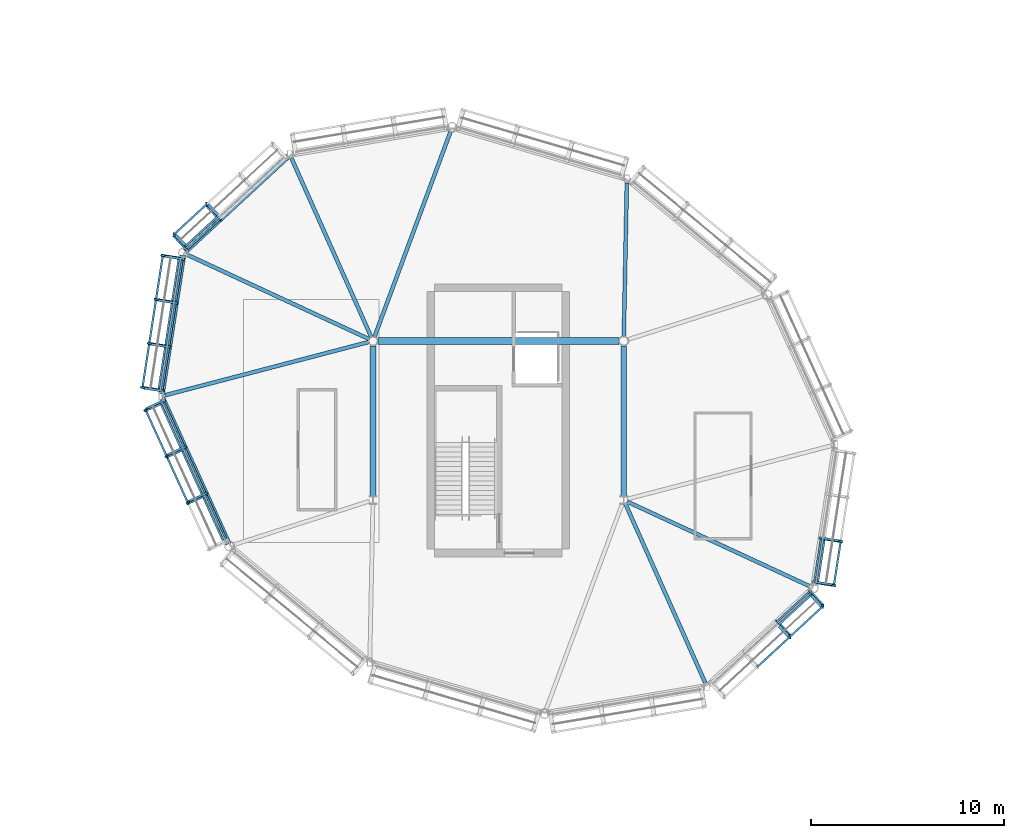
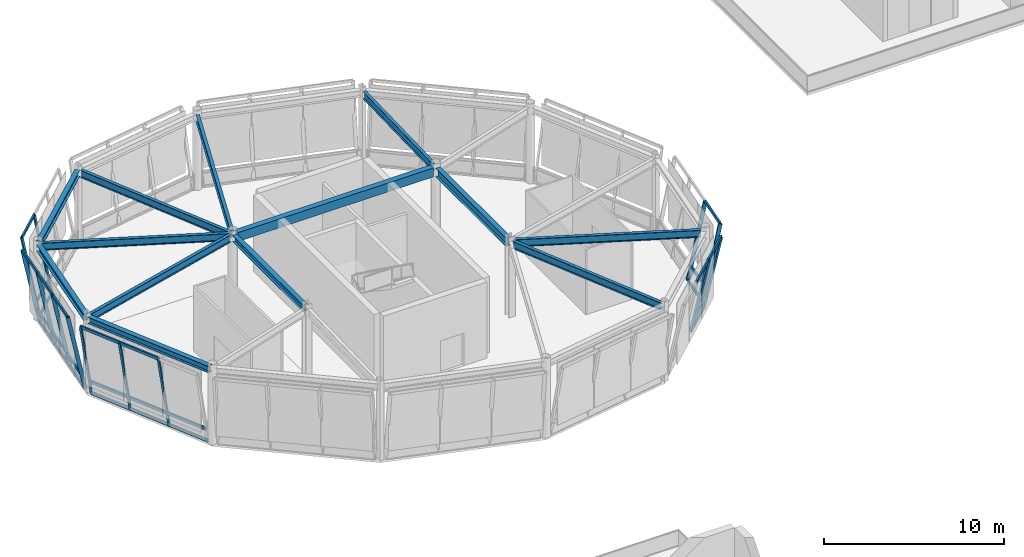
# One storey, part 44 of 90: 40 members, 13 beams, 5 elements without a shape of their own.
"""IFC4 building model written with IfcOpenShell, lengths in metres."""

from ifc_helpers import new_model, si_unit, direction, frame, origin, origin_2d, place, context, subcontext, project, spatial, rectangle, hollow_rectangle, i_section, extrude, material, material_profile, profile_set, type_object, element, aggregate, save


model = new_model("IFC4")

# Units and contexts
model_context = context("Model", 3, precision=1e-05, world=origin(), true_north=direction((0.0, 1.0)))
body_context = subcontext(model_context, "Body", "Model", "MODEL_VIEW")
ifc_project = project(units=[si_unit("LENGTHUNIT", "METRE"), si_unit("AREAUNIT", "SQUARE_METRE"), si_unit("VOLUMEUNIT", "CUBIC_METRE"), si_unit("PLANEANGLEUNIT", "RADIAN"), si_unit("MASSUNIT", "GRAM", prefix="KILO")], contexts=[model_context])

# Site, building, storey
site_placement = place(None, origin())
site = spatial("IfcSite", under=ifc_project, at=site_placement, CompositionType="ELEMENT")
building_placement = place(site_placement, origin())
building = spatial("IfcBuilding", under=site, at=building_placement, Name="Linyun Crest Stadium", CompositionType="ELEMENT")
storey_placement = place(building_placement, frame((0.0, 0.0, 21.0)))
storey = spatial("IfcBuildingStorey", under=building, at=storey_placement, Name="L05", CompositionType="ELEMENT", Elevation=21.0)

# Beams
ifc_material_1 = material(Name="Concrete C40", Category="concrete")
ifc_material_profile_1 = material_profile(ifc_material_1, rectangle(XDim=0.35009765625, YDim=0.60009765625, at=origin_2d()), Name="RCB 600x350")
ifc_profile_set_1 = profile_set([ifc_material_profile_1], Name="Concrete C40")
beam_type_1 = type_object("IfcBeamType", Name="B01", PredefinedType="BEAM", material=ifc_profile_set_1)
beam_1_placement = place(storey_placement, frame((-79.74609375, 88.75, 4.85009765625), z_axis=(1.0, 0.0, 0.0), x_axis=(0.0, 1.0, 0.0)))
element("IfcBeam", 1, at=beam_1_placement, inside=storey, type_object=beam_type_1, Name="Frame beam B01 L05 977", PredefinedType="BEAM", context=body_context, shape_type="SweptSolid", body=[
    extrude(rectangle(XDim=0.35009765625, YDim=0.60009765625, at=origin_2d()), origin(), (0.0, 0.0, 1.0), 12.4921875),
])
ifc_material_2 = material(Name="Steel Q355C", Category="steel")
ifc_material_profile_2 = material_profile(ifc_material_2, i_section(OverallWidth=0.300048828125, OverallDepth=0.43994140625, WebThickness=0.010986328125, FlangeThickness=0.01806640625, at=origin_2d()), Name="HM 440x300")
ifc_profile_set_2 = profile_set([ifc_material_profile_2], Name="Steel Q355C")
beam_type_2 = type_object("IfcBeamType", Name="B07", PredefinedType="BEAM", material=ifc_profile_set_2)
beam_2_placement = place(storey_placement, frame((-84.40087890625, 98.3349609375, 4.929931640625), z_axis=(-0.734193861678, -0.678939889441, 0.0), x_axis=(0.678939889441, -0.734193861678, 0.0)))
element("IfcBeam", 2, at=beam_2_placement, inside=storey, type_object=beam_type_2, Name="Pod ring girder B07 L05 59", PredefinedType="BEAM", context=body_context, shape_type="SweptSolid", body=[
    extrude(i_section(OverallWidth=0.300048828125, OverallDepth=0.43994140625, WebThickness=0.010986328125, FlangeThickness=0.01806640625, at=origin_2d()), origin(), (0.0, 0.0, 1.0), 7.28173828125),
])
beam_3_placement = place(storey_placement, frame((-89.85302734375, 93.19091796875, 4.929931640625), z_axis=(-0.152213453027, -0.988347643655, 0.0), x_axis=(0.988347643655, -0.152213453027, 0.0)))
element("IfcBeam", 3, at=beam_3_placement, inside=storey, type_object=beam_type_2, Name="Pod ring girder B07 L05 61", PredefinedType="BEAM", context=body_context, shape_type="SweptSolid", body=[
    extrude(i_section(OverallWidth=0.300048828125, OverallDepth=0.43994140625, WebThickness=0.010986328125, FlangeThickness=0.01806640625, at=origin_2d()), origin(), (0.0, 0.0, 1.0), 7.278564453125),
])
beam_4_placement = place(storey_placement, frame((-90.928955078125, 85.76904296875, 4.929931640625), z_axis=(0.41441702614, -0.910087099373, 0.0), x_axis=(0.910087099373, 0.41441702614, 0.0)))
element("IfcBeam", 4, at=beam_4_placement, inside=storey, type_object=beam_type_2, Name="Pod ring girder B07 L05 63", PredefinedType="BEAM", context=body_context, shape_type="SweptSolid", body=[
    extrude(i_section(OverallWidth=0.300048828125, OverallDepth=0.43994140625, WebThickness=0.010986328125, FlangeThickness=0.01806640625, at=origin_2d()), origin(), (0.0, 0.0, 1.0), 8.2958984375),
])
beam_5_placement = place(storey_placement, frame((-80.0, 80.714111328125, 4.929931640625), z_axis=(0.0, 1.0, 0.0), x_axis=(-1.0, 0.0, 0.0)))
element("IfcBeam", 5, at=beam_5_placement, inside=storey, type_object=beam_type_2, Name="Frame beam B07 L05 979", PredefinedType="BEAM", context=body_context, shape_type="SweptSolid", body=[
    extrude(i_section(OverallWidth=0.300048828125, OverallDepth=0.43994140625, WebThickness=0.010986328125, FlangeThickness=0.01806640625, at=origin_2d()), origin(), (0.0, 0.0, 1.0), 7.781982421875),
])
ifc_material_3 = material(Name="Steel Q355C", Category="steel")
ifc_material_profile_3 = material_profile(ifc_material_3, i_section(OverallWidth=0.300048828125, OverallDepth=0.587890625, WebThickness=0.011962890625, FlangeThickness=0.02001953125, at=origin_2d()), Name="HM 588x300")
ifc_profile_set_3 = profile_set([ifc_material_profile_3], Name="Steel Q355C")
beam_type_3 = type_object("IfcBeamType", Name="B09", PredefinedType="BEAM", material=ifc_profile_set_3)
beam_6_placement = place(storey_placement, frame((-67.0, 80.714111328125, 4.85595703125), z_axis=(0.0, 1.0, 0.0), x_axis=(-1.0, 0.0, 0.0)))
element("IfcBeam", 6, at=beam_6_placement, inside=storey, type_object=beam_type_3, Name="Frame beam B09 L05 980", PredefinedType="BEAM", context=body_context, shape_type="SweptSolid", body=[
    extrude(i_section(OverallWidth=0.300048828125, OverallDepth=0.587890625, WebThickness=0.011962890625, FlangeThickness=0.02001953125, at=origin_2d()), origin(), (0.0, 0.0, 1.0), 7.781982421875),
])
ifc_material_4 = material(Name="Steel Q355C", Category="steel")
ifc_material_profile_4 = material_profile(ifc_material_4, i_section(OverallWidth=0.199951171875, OverallDepth=0.5, WebThickness=0.010009765625, FlangeThickness=0.01611328125, at=origin_2d()), Name="HN 500x200")
ifc_profile_set_4 = profile_set([ifc_material_profile_4], Name="Steel Q355C")
beam_type_4 = type_object("IfcBeamType", Name="B10", PredefinedType="BEAM", material=ifc_profile_set_4)
beam_7_placement = place(storey_placement, frame((-66.819091796875, 80.416015625, 4.89990234375), z_axis=(0.907241490816, -0.420610125106, 0.0), x_axis=(0.420610125106, 0.907241490816, 0.0)))
element("IfcBeam", 7, at=beam_7_placement, inside=storey, type_object=beam_type_4, Name="Pod radial tie girder B10 L05 50", PredefinedType="BEAM", context=body_context, shape_type="SweptSolid", body=[
    extrude(i_section(OverallWidth=0.199951171875, OverallDepth=0.5, WebThickness=0.010009765625, FlangeThickness=0.01611328125, at=origin_2d()), origin(), (0.0, 0.0, 1.0), 10.420654296875),
])
beam_8_placement = place(storey_placement, frame((-66.99609375, 88.949951171875, 4.89990234375), z_axis=(0.01978842746, 0.999804189899, 0.0), x_axis=(-0.999804189899, 0.01978842746, 0.0)))
element("IfcBeam", 8, at=beam_8_placement, inside=storey, type_object=beam_type_4, Name="Pod radial tie girder B10 L05 56", PredefinedType="BEAM", context=body_context, shape_type="SweptSolid", body=[
    extrude(i_section(OverallWidth=0.199951171875, OverallDepth=0.5, WebThickness=0.010009765625, FlangeThickness=0.01611328125, at=origin_2d()), origin(), (0.0, 0.0, 1.0), 7.99462890625),
])
beam_9_placement = place(storey_placement, frame((-79.929931640625, 88.93798828125, 4.89990234375), z_axis=(0.347593524127, 0.937645317796, 0.0), x_axis=(-0.937645317796, 0.347593524127, 0.0)))
element("IfcBeam", 9, at=beam_9_placement, inside=storey, type_object=beam_type_4, Name="Pod radial tie girder B10 L05 58", PredefinedType="BEAM", context=body_context, shape_type="SweptSolid", body=[
    extrude(i_section(OverallWidth=0.199951171875, OverallDepth=0.5, WebThickness=0.010009765625, FlangeThickness=0.01611328125, at=origin_2d()), origin(), (0.0, 0.0, 1.0), 11.392578125),
])
beam_10_placement = place(storey_placement, frame((-80.0810546875, 88.93310546875, 4.89990234375), z_axis=(-0.407495258441, 0.913207322763, 0.0), x_axis=(-0.913207322763, -0.407495258441, 0.0)))
element("IfcBeam", 10, at=beam_10_placement, inside=storey, type_object=beam_type_4, Name="Pod radial tie girder B10 L05 60", PredefinedType="BEAM", context=body_context, shape_type="SweptSolid", body=[
    extrude(i_section(OverallWidth=0.199951171875, OverallDepth=0.5, WebThickness=0.010009765625, FlangeThickness=0.01611328125, at=origin_2d()), origin(), (0.0, 0.0, 1.0), 10.1640625),
])
beam_11_placement = place(storey_placement, frame((-80.180908203125, 88.833984375, 4.89990234375), z_axis=(-0.907241490816, 0.420610125106, 0.0), x_axis=(-0.420610125106, -0.907241490816, 0.0)))
element("IfcBeam", 11, at=beam_11_placement, inside=storey, type_object=beam_type_4, Name="Pod radial tie girder B10 L05 62", PredefinedType="BEAM", context=body_context, shape_type="SweptSolid", body=[
    extrude(i_section(OverallWidth=0.199951171875, OverallDepth=0.5, WebThickness=0.010009765625, FlangeThickness=0.01611328125, at=origin_2d()), origin(), (0.0, 0.0, 1.0), 10.420654296875),
])
beam_12_placement = place(storey_placement, frame((-80.193115234375, 88.698974609375, 4.89990234375), z_axis=(-0.967466930693, -0.252997505948, 0.0), x_axis=(0.252997505948, -0.967466930693, 0.0)))
element("IfcBeam", 12, at=beam_12_placement, inside=storey, type_object=beam_type_4, Name="Pod radial tie girder B10 L05 64", PredefinedType="BEAM", context=body_context, shape_type="SweptSolid", body=[
    extrude(i_section(OverallWidth=0.199951171875, OverallDepth=0.5, WebThickness=0.010009765625, FlangeThickness=0.01611328125, at=origin_2d()), origin(), (0.0, 0.0, 1.0), 10.928466796875),
])
beam_13_placement = place(storey_placement, frame((-66.9189453125, 80.31689453125, 4.89990234375), z_axis=(0.407495258441, -0.913207322763, 0.0), x_axis=(0.913207322763, 0.407495258441, 0.0)))
element("IfcBeam", 13, at=beam_13_placement, inside=storey, type_object=beam_type_4, Name="Pod radial tie girder B10 L05 72", PredefinedType="BEAM", context=body_context, shape_type="SweptSolid", body=[
    extrude(i_section(OverallWidth=0.199951171875, OverallDepth=0.5, WebThickness=0.010009765625, FlangeThickness=0.01611328125, at=origin_2d()), origin(), (0.0, 0.0, 1.0), 10.1640625),
])

# Curtain wall, members
ifc_material_5 = material(Name="Verdigris steel and low-E curtain wall assembly", Category="steel")
curtain_wall_type = type_object("IfcCurtainWallType", Name="MCW04", PredefinedType="NOTDEFINED", material=ifc_material_5)
curtain_wall_1_placement = place(storey_placement, origin())
curtain_wall_1 = element("IfcCurtainWall", 14, at=curtain_wall_1_placement, inside=storey, type_object=curtain_wall_type, Name="CWR-013", PredefinedType="NOTDEFINED")
ifc_material_6 = material(Name="Verdigris painted steel Q355C pod mullion", Category="steel")
ifc_material_profile_5 = material_profile(ifc_material_6, hollow_rectangle(XDim=0.1201171875, YDim=0.219970703125, WallThickness=0.008056640625, at=origin_2d()), Name="RHS 220x120x8")
ifc_profile_set_5 = profile_set([ifc_material_profile_5], Name="Verdigris painted steel Q355C pod mullion")
member_type_1 = type_object("IfcMemberType", Name="ML04", PredefinedType="MULLION", material=ifc_profile_set_5)
member_1_placement = place(storey_placement, frame((-57.118896484375, 76.237060546875, 0.0), z_axis=(0.196925558343, -0.030401712849, 0.97994696812), x_axis=(-0.298126026527, -0.954045105123, 0.030311873873)))
member_1 = element("IfcMember", 15, at=member_1_placement, type_object=member_type_1, Name="CWR-013 mullion 1", PredefinedType="MULLION", context=body_context, shape_type="SweptSolid", body=[
    extrude(hollow_rectangle(XDim=0.1201171875, YDim=0.219970703125, WallThickness=0.008056640625, at=origin_2d()), origin(), (0.0, 0.0, 1.0), 5.16357421875),
])
member_2_placement = place(storey_placement, frame((-56.76806640625, 78.51611328125, 0.0), z_axis=(0.196972134201, -0.030212480498, 0.979943459782), x_axis=(-0.297195980981, -0.95433515081, 0.030314498475)))
member_2 = element("IfcMember", 16, at=member_2_placement, type_object=member_type_1, Name="CWR-013 mullion 2", PredefinedType="MULLION", context=body_context, shape_type="SweptSolid", body=[
    extrude(hollow_rectangle(XDim=0.1201171875, YDim=0.219970703125, WallThickness=0.008056640625, at=origin_2d()), origin(), (0.0, 0.0, 1.0), 5.16357421875),
])

curtain_wall_2_placement = place(storey_placement, origin())
curtain_wall_2 = element("IfcCurtainWall", 17, at=curtain_wall_2_placement, inside=storey, type_object=curtain_wall_type, Name="CWR-018", PredefinedType="NOTDEFINED")
member_3_placement = place(storey_placement, frame((-87.9208984375, 95.080078125, 0.0), z_axis=(-0.135408824728, 0.146377696005, 0.97991735381), x_axis=(-0.986931474676, 0.067271316009, -0.146426890757)))
member_3 = element("IfcMember", 18, at=member_3_placement, type_object=member_type_1, Name="CWR-018 mullion 3", PredefinedType="MULLION", context=body_context, shape_type="SweptSolid", body=[
    extrude(hollow_rectangle(XDim=0.1201171875, YDim=0.219970703125, WallThickness=0.008056640625, at=origin_2d()), origin(), (0.0, 0.0, 1.0), 5.163818359375),
])
member_4_placement = place(storey_placement, frame((-89.614990234375, 93.513916015625, 0.0), z_axis=(-0.135361474609, 0.146424899359, 0.979916843431), x_axis=(-0.986908625049, 0.067601716687, -0.146428732514)))
member_4 = element("IfcMember", 19, at=member_4_placement, type_object=member_type_1, Name="CWR-018 mullion 4", PredefinedType="MULLION", context=body_context, shape_type="SweptSolid", body=[
    extrude(hollow_rectangle(XDim=0.1201171875, YDim=0.219970703125, WallThickness=0.008056640625, at=origin_2d()), origin(), (0.0, 0.0, 1.0), 5.163818359375),
])

curtain_wall_3_placement = place(storey_placement, origin())
curtain_wall_3 = element("IfcCurtainWall", 20, at=curtain_wall_3_placement, inside=storey, type_object=curtain_wall_type, Name="CWR-019", PredefinedType="NOTDEFINED")
member_5_placement = place(storey_placement, frame((-89.881103515625, 93.012939453125, 0.0), z_axis=(-0.196925558343, 0.030401712849, 0.97994696812), x_axis=(-0.298126026527, -0.954045105123, -0.030311873873)))
member_5 = element("IfcMember", 21, at=member_5_placement, type_object=member_type_1, Name="CWR-019 mullion 1", PredefinedType="MULLION", context=body_context, shape_type="SweptSolid", body=[
    extrude(hollow_rectangle(XDim=0.1201171875, YDim=0.219970703125, WallThickness=0.008056640625, at=origin_2d()), origin(), (0.0, 0.0, 1.0), 5.16357421875),
])
member_6_placement = place(storey_placement, frame((-90.23193359375, 90.73388671875, 0.0), z_axis=(-0.196972134201, 0.030212480498, 0.979943459782), x_axis=(-0.297195980981, -0.95433515081, -0.030314498475)))
member_6 = element("IfcMember", 22, at=member_6_placement, type_object=member_type_1, Name="CWR-019 mullion 2", PredefinedType="MULLION", context=body_context, shape_type="SweptSolid", body=[
    extrude(hollow_rectangle(XDim=0.1201171875, YDim=0.219970703125, WallThickness=0.008056640625, at=origin_2d()), origin(), (0.0, 0.0, 1.0), 5.16357421875),
])
member_7_placement = place(storey_placement, frame((-90.58203125, 88.4541015625, 0.0), z_axis=(-0.197152779984, 0.03040029677, 0.979901323247), x_axis=(-0.297946662121, -0.954100050656, -0.030346002532)))
member_7 = element("IfcMember", 23, at=member_7_placement, type_object=member_type_1, Name="CWR-019 mullion 3", PredefinedType="MULLION", context=body_context, shape_type="SweptSolid", body=[
    extrude(hollow_rectangle(XDim=0.1201171875, YDim=0.219970703125, WallThickness=0.008056640625, at=origin_2d()), origin(), (0.0, 0.0, 1.0), 5.163818359375),
])
member_8_placement = place(storey_placement, frame((-90.93310546875, 86.175048828125, 0.0), z_axis=(-0.196925558343, 0.030401712849, 0.97994696812), x_axis=(-0.298126026527, -0.954045105123, -0.030311873873)))
member_8 = element("IfcMember", 24, at=member_8_placement, type_object=member_type_1, Name="CWR-019 mullion 4", PredefinedType="MULLION", context=body_context, shape_type="SweptSolid", body=[
    extrude(hollow_rectangle(XDim=0.1201171875, YDim=0.219970703125, WallThickness=0.008056640625, at=origin_2d()), origin(), (0.0, 0.0, 1.0), 5.16357421875),
])

curtain_wall_4_placement = place(storey_placement, origin())
curtain_wall_4 = element("IfcCurtainWall", 25, at=curtain_wall_4_placement, inside=storey, type_object=curtain_wall_type, Name="CWR-020", PredefinedType="NOTDEFINED")
member_9_placement = place(storey_placement, frame((-90.85498046875, 85.60498046875, 0.0), z_axis=(-0.181458861331, -0.08269190945, 0.979915674819), x_axis=(0.747008040281, -0.659655798184, 0.082663266794)))
member_9 = element("IfcMember", 26, at=member_9_placement, type_object=member_type_1, Name="CWR-020 mullion 1", PredefinedType="MULLION", context=body_context, shape_type="SweptSolid", body=[
    extrude(hollow_rectangle(XDim=0.1201171875, YDim=0.219970703125, WallThickness=0.008056640625, at=origin_2d()), origin(), (0.0, 0.0, 1.0), 5.163818359375),
])
member_10_placement = place(storey_placement, frame((-89.758056640625, 83.197998046875, 0.0), z_axis=(-0.181458861331, -0.08269190945, 0.979915674819), x_axis=(0.747008040281, -0.659655798184, 0.082663266794)))
member_10 = element("IfcMember", 27, at=member_10_placement, type_object=member_type_1, Name="CWR-020 mullion 2", PredefinedType="MULLION", context=body_context, shape_type="SweptSolid", body=[
    extrude(hollow_rectangle(XDim=0.1201171875, YDim=0.219970703125, WallThickness=0.008056640625, at=origin_2d()), origin(), (0.0, 0.0, 1.0), 5.163818359375),
])
member_11_placement = place(storey_placement, frame((-88.662109375, 80.7900390625, 0.0), z_axis=(-0.181461695905, -0.082504080082, 0.979930982105), x_axis=(0.746444035953, -0.66029784239, 0.082632079273)))
member_11 = element("IfcMember", 28, at=member_11_placement, type_object=member_type_1, Name="CWR-020 mullion 3", PredefinedType="MULLION", context=body_context, shape_type="SweptSolid", body=[
    extrude(hollow_rectangle(XDim=0.1201171875, YDim=0.219970703125, WallThickness=0.008056640625, at=origin_2d()), origin(), (0.0, 0.0, 1.0), 5.16357421875),
])

curtain_wall_5_placement = place(storey_placement, origin())
curtain_wall_5 = element("IfcCurtainWall", 29, at=curtain_wall_5_placement, inside=storey, type_object=curtain_wall_type, Name="CWR-024", PredefinedType="NOTDEFINED")
member_12_placement = place(storey_placement, frame((-59.0791015625, 74.169921875, 0.0), z_axis=(0.135408824728, -0.146377696005, 0.97991735381), x_axis=(-0.986931474676, 0.067271316009, 0.146426890757)))
member_12 = element("IfcMember", 30, at=member_12_placement, type_object=member_type_1, Name="CWR-024 mullion 3", PredefinedType="MULLION", context=body_context, shape_type="SweptSolid", body=[
    extrude(hollow_rectangle(XDim=0.1201171875, YDim=0.219970703125, WallThickness=0.008056640625, at=origin_2d()), origin(), (0.0, 0.0, 1.0), 5.163818359375),
])
member_13_placement = place(storey_placement, frame((-57.385009765625, 75.736083984375, 0.0), z_axis=(0.135361474609, -0.146424899359, 0.979916843431), x_axis=(-0.986908625049, 0.067601716687, 0.146428732514)))
member_13 = element("IfcMember", 31, at=member_13_placement, type_object=member_type_1, Name="CWR-024 mullion 4", PredefinedType="MULLION", context=body_context, shape_type="SweptSolid", body=[
    extrude(hollow_rectangle(XDim=0.1201171875, YDim=0.219970703125, WallThickness=0.008056640625, at=origin_2d()), origin(), (0.0, 0.0, 1.0), 5.163818359375),
])

# Member
ifc_material_7 = material(Name="Verdigris painted steel Q355C transom", Category="steel")
ifc_material_profile_6 = material_profile(ifc_material_7, hollow_rectangle(XDim=0.10009765625, YDim=0.199951171875, WallThickness=0.008056640625, at=origin_2d()), Name="RHS 200x100x8")
ifc_profile_set_6 = profile_set([ifc_material_profile_6], Name="Verdigris painted steel Q355C transom")
member_type_2 = type_object("IfcMemberType", Name="TR03", PredefinedType="USERDEFINED", material=ifc_profile_set_6)
member_14_placement = place(storey_placement, frame((-57.118896484375, 76.237060546875, 0.0), z_axis=(0.152144700169, 0.988358229697, 0.0), x_axis=(-0.988358229697, 0.152144700169, 0.0)))
member_14 = element("IfcMember", 32, at=member_14_placement, type_object=member_type_2, Name="CWR-013 transom 1.1", ObjectType="TRANSOM", PredefinedType="USERDEFINED", context=body_context, shape_type="SweptSolid", body=[
    extrude(hollow_rectangle(XDim=0.10009765625, YDim=0.199951171875, WallThickness=0.008056640625, at=origin_2d()), origin(), (0.0, 0.0, 1.0), 2.305908203125),
])

member_15_placement = place(storey_placement, frame((-56.93798828125, 76.208984375, 0.89990234375), z_axis=(0.152248123454, 0.988342303509, 0.0), x_axis=(-0.988342303509, 0.152248123454, 0.0)))
member_15 = element("IfcMember", 33, at=member_15_placement, type_object=member_type_2, Name="CWR-013 transom 1.2", ObjectType="TRANSOM", PredefinedType="USERDEFINED", context=body_context, shape_type="SweptSolid", body=[
    extrude(hollow_rectangle(XDim=0.10009765625, YDim=0.199951171875, WallThickness=0.008056640625, at=origin_2d()), origin(), (0.0, 0.0, 1.0), 2.305908203125),
])

member_16_placement = place(storey_placement, frame((-56.10205078125, 76.080078125, 5.06005859375), z_axis=(0.152184424427, 0.988352113855, 0.0), x_axis=(-0.988352113855, 0.152184424427, 0.0)))
member_16 = element("IfcMember", 34, at=member_16_placement, type_object=member_type_2, Name="CWR-013 transom 1.3", ObjectType="TRANSOM", PredefinedType="USERDEFINED", context=body_context, shape_type="SweptSolid", body=[
    extrude(hollow_rectangle(XDim=0.10009765625, YDim=0.199951171875, WallThickness=0.008056640625, at=origin_2d()), origin(), (0.0, 0.0, 1.0), 2.306884765625),
])

aggregate(curtain_wall_1, [member_1, member_2, member_14, member_15, member_16])

member_17_placement = place(storey_placement, frame((-87.9208984375, 95.080078125, 0.0), z_axis=(-0.734287991916, -0.678838084471, 0.0), x_axis=(0.678838084471, -0.734287991916, 0.0)))
member_17 = element("IfcMember", 35, at=member_17_placement, type_object=member_type_2, Name="CWR-018 transom 3.1", ObjectType="TRANSOM", PredefinedType="USERDEFINED", context=body_context, shape_type="SweptSolid", body=[
    extrude(hollow_rectangle(XDim=0.10009765625, YDim=0.199951171875, WallThickness=0.008056640625, at=origin_2d()), origin(), (0.0, 0.0, 1.0), 2.30712890625),
])

member_18_placement = place(storey_placement, frame((-88.044921875, 95.214111328125, 0.89990234375), z_axis=(-0.734287991916, -0.678838084471, 0.0), x_axis=(0.678838084471, -0.734287991916, 0.0)))
member_18 = element("IfcMember", 36, at=member_18_placement, type_object=member_type_2, Name="CWR-018 transom 3.2", ObjectType="TRANSOM", PredefinedType="USERDEFINED", context=body_context, shape_type="SweptSolid", body=[
    extrude(hollow_rectangle(XDim=0.10009765625, YDim=0.199951171875, WallThickness=0.008056640625, at=origin_2d()), origin(), (0.0, 0.0, 1.0), 2.30712890625),
])

member_19_placement = place(storey_placement, frame((-88.6201171875, 95.8359375, 5.06005859375), z_axis=(-0.73429197574, -0.678833775208, 0.0), x_axis=(0.678833775208, -0.73429197574, 0.0)))
member_19 = element("IfcMember", 37, at=member_19_placement, type_object=member_type_2, Name="CWR-018 transom 3.3", ObjectType="TRANSOM", PredefinedType="USERDEFINED", context=body_context, shape_type="SweptSolid", body=[
    extrude(hollow_rectangle(XDim=0.10009765625, YDim=0.199951171875, WallThickness=0.008056640625, at=origin_2d()), origin(), (0.0, 0.0, 1.0), 2.306884765625),
])

aggregate(curtain_wall_2, [member_3, member_4, member_17, member_18, member_19])

member_20_placement = place(storey_placement, frame((-89.881103515625, 93.012939453125, 0.0), z_axis=(-0.152144700169, -0.988358229697, 0.0), x_axis=(0.988358229697, -0.152144700169, 0.0)))
member_20 = element("IfcMember", 38, at=member_20_placement, type_object=member_type_2, Name="CWR-019 transom 1.1", ObjectType="TRANSOM", PredefinedType="USERDEFINED", context=body_context, shape_type="SweptSolid", body=[
    extrude(hollow_rectangle(XDim=0.10009765625, YDim=0.199951171875, WallThickness=0.008056640625, at=origin_2d()), origin(), (0.0, 0.0, 1.0), 2.305908203125),
])

member_21_placement = place(storey_placement, frame((-90.06201171875, 93.041015625, 0.89990234375), z_axis=(-0.152248123454, -0.988342303509, 0.0), x_axis=(0.988342303509, -0.152248123454, 0.0)))
member_21 = element("IfcMember", 39, at=member_21_placement, type_object=member_type_2, Name="CWR-019 transom 1.2", ObjectType="TRANSOM", PredefinedType="USERDEFINED", context=body_context, shape_type="SweptSolid", body=[
    extrude(hollow_rectangle(XDim=0.10009765625, YDim=0.199951171875, WallThickness=0.008056640625, at=origin_2d()), origin(), (0.0, 0.0, 1.0), 2.305908203125),
])

member_22_placement = place(storey_placement, frame((-90.89794921875, 93.169921875, 5.06005859375), z_axis=(-0.152184424427, -0.988352113855, 0.0), x_axis=(0.988352113855, -0.152184424427, 0.0)))
member_22 = element("IfcMember", 40, at=member_22_placement, type_object=member_type_2, Name="CWR-019 transom 1.3", ObjectType="TRANSOM", PredefinedType="USERDEFINED", context=body_context, shape_type="SweptSolid", body=[
    extrude(hollow_rectangle(XDim=0.10009765625, YDim=0.199951171875, WallThickness=0.008056640625, at=origin_2d()), origin(), (0.0, 0.0, 1.0), 2.306884765625),
])

member_23_placement = place(storey_placement, frame((-90.23193359375, 90.73388671875, 0.0), z_axis=(-0.15178674483, -0.988413265843, 0.0), x_axis=(0.988413265843, -0.15178674483, 0.0)))
member_23 = element("IfcMember", 41, at=member_23_placement, type_object=member_type_2, Name="CWR-019 transom 2.1", ObjectType="TRANSOM", PredefinedType="USERDEFINED", context=body_context, shape_type="SweptSolid", body=[
    extrude(hollow_rectangle(XDim=0.10009765625, YDim=0.199951171875, WallThickness=0.008056640625, at=origin_2d()), origin(), (0.0, 0.0, 1.0), 2.306396484375),
])

member_24_placement = place(storey_placement, frame((-90.4130859375, 90.761962890625, 0.89990234375), z_axis=(-0.151667464216, -0.988431575931, 0.0), x_axis=(0.988431575931, -0.151667464216, 0.0)))
member_24 = element("IfcMember", 42, at=member_24_placement, type_object=member_type_2, Name="CWR-019 transom 2.2", ObjectType="TRANSOM", PredefinedType="USERDEFINED", context=body_context, shape_type="SweptSolid", body=[
    extrude(hollow_rectangle(XDim=0.10009765625, YDim=0.199951171875, WallThickness=0.008056640625, at=origin_2d()), origin(), (0.0, 0.0, 1.0), 2.306640625),
])

member_25_placement = place(storey_placement, frame((-91.2490234375, 90.889892578125, 5.06005859375), z_axis=(-0.152264056445, -0.988339848997, 0.0), x_axis=(0.988339848997, -0.152264056445, 0.0)))
member_25 = element("IfcMember", 43, at=member_25_placement, type_object=member_type_2, Name="CWR-019 transom 2.3", ObjectType="TRANSOM", PredefinedType="USERDEFINED", context=body_context, shape_type="SweptSolid", body=[
    extrude(hollow_rectangle(XDim=0.10009765625, YDim=0.199951171875, WallThickness=0.008056640625, at=origin_2d()), origin(), (0.0, 0.0, 1.0), 2.3056640625),
])

member_26_placement = place(storey_placement, frame((-90.58203125, 88.4541015625, 0.0), z_axis=(-0.152248123454, -0.988342303509, 0.0), x_axis=(0.988342303509, -0.152248123454, 0.0)))
member_26 = element("IfcMember", 44, at=member_26_placement, type_object=member_type_2, Name="CWR-019 transom 3.1", ObjectType="TRANSOM", PredefinedType="USERDEFINED", context=body_context, shape_type="SweptSolid", body=[
    extrude(hollow_rectangle(XDim=0.10009765625, YDim=0.199951171875, WallThickness=0.008056640625, at=origin_2d()), origin(), (0.0, 0.0, 1.0), 2.305908203125),
])

member_27_placement = place(storey_placement, frame((-90.762939453125, 88.48193359375, 0.89990234375), z_axis=(-0.152248123454, -0.988342303509, 0.0), x_axis=(0.988342303509, -0.152248123454, 0.0)))
member_27 = element("IfcMember", 45, at=member_27_placement, type_object=member_type_2, Name="CWR-019 transom 3.2", ObjectType="TRANSOM", PredefinedType="USERDEFINED", context=body_context, shape_type="SweptSolid", body=[
    extrude(hollow_rectangle(XDim=0.10009765625, YDim=0.199951171875, WallThickness=0.008056640625, at=origin_2d()), origin(), (0.0, 0.0, 1.0), 2.305908203125),
])

member_28_placement = place(storey_placement, frame((-91.60009765625, 88.611083984375, 5.06005859375), z_axis=(-0.151730957076, -0.988421831338, 0.0), x_axis=(0.988421831338, -0.151730957076, 0.0)))
member_28 = element("IfcMember", 46, at=member_28_placement, type_object=member_type_2, Name="CWR-019 transom 3.3", ObjectType="TRANSOM", PredefinedType="USERDEFINED", context=body_context, shape_type="SweptSolid", body=[
    extrude(hollow_rectangle(XDim=0.10009765625, YDim=0.199951171875, WallThickness=0.008056640625, at=origin_2d()), origin(), (0.0, 0.0, 1.0), 2.3056640625),
])

aggregate(curtain_wall_3, [member_5, member_6, member_7, member_8, member_20, member_21, member_22, member_23, member_24, member_25, member_26, member_27, member_28])

member_29_placement = place(storey_placement, frame((-90.85498046875, 85.60498046875, 0.0), z_axis=(0.414692848815, -0.90996145036, 0.0), x_axis=(0.90996145036, 0.414692848815, 0.0)))
member_29 = element("IfcMember", 47, at=member_29_placement, type_object=member_type_2, Name="CWR-020 transom 1.1", ObjectType="TRANSOM", PredefinedType="USERDEFINED", context=body_context, shape_type="SweptSolid", body=[
    extrude(hollow_rectangle(XDim=0.10009765625, YDim=0.199951171875, WallThickness=0.008056640625, at=origin_2d()), origin(), (0.0, 0.0, 1.0), 2.645263671875),
])

member_30_placement = place(storey_placement, frame((-91.02197265625, 85.529052734375, 0.89990234375), z_axis=(0.414692848815, -0.90996145036, 0.0), x_axis=(0.90996145036, 0.414692848815, 0.0)))
member_30 = element("IfcMember", 48, at=member_30_placement, type_object=member_type_2, Name="CWR-020 transom 1.2", ObjectType="TRANSOM", PredefinedType="USERDEFINED", context=body_context, shape_type="SweptSolid", body=[
    extrude(hollow_rectangle(XDim=0.10009765625, YDim=0.199951171875, WallThickness=0.008056640625, at=origin_2d()), origin(), (0.0, 0.0, 1.0), 2.645263671875),
])

member_31_placement = place(storey_placement, frame((-91.7919921875, 85.177978515625, 5.06005859375), z_axis=(0.414692848815, -0.90996145036, 0.0), x_axis=(0.90996145036, 0.414692848815, 0.0)))
member_31 = element("IfcMember", 49, at=member_31_placement, type_object=member_type_2, Name="CWR-020 transom 1.3", ObjectType="TRANSOM", PredefinedType="USERDEFINED", context=body_context, shape_type="SweptSolid", body=[
    extrude(hollow_rectangle(XDim=0.10009765625, YDim=0.199951171875, WallThickness=0.008056640625, at=origin_2d()), origin(), (0.0, 0.0, 1.0), 2.645263671875),
])

member_32_placement = place(storey_placement, frame((-89.758056640625, 83.197998046875, 0.0), z_axis=(0.414247864609, -0.910164109744, 0.0), x_axis=(0.910164109744, 0.414247864609, 0.0)))
member_32 = element("IfcMember", 50, at=member_32_placement, type_object=member_type_2, Name="CWR-020 transom 2.1", ObjectType="TRANSOM", PredefinedType="USERDEFINED", context=body_context, shape_type="SweptSolid", body=[
    extrude(hollow_rectangle(XDim=0.10009765625, YDim=0.199951171875, WallThickness=0.008056640625, at=origin_2d()), origin(), (0.0, 0.0, 1.0), 2.645751953125),
])

member_33_placement = place(storey_placement, frame((-89.925048828125, 83.1220703125, 0.89990234375), z_axis=(0.414629980899, -0.909990098265, 0.0), x_axis=(0.909990098265, 0.414629980899, 0.0)))
member_33 = element("IfcMember", 51, at=member_33_placement, type_object=member_type_2, Name="CWR-020 transom 2.2", ObjectType="TRANSOM", PredefinedType="USERDEFINED", context=body_context, shape_type="SweptSolid", body=[
    extrude(hollow_rectangle(XDim=0.10009765625, YDim=0.199951171875, WallThickness=0.008056640625, at=origin_2d()), origin(), (0.0, 0.0, 1.0), 2.646240234375),
])

member_34_placement = place(storey_placement, frame((-90.695068359375, 82.77099609375, 5.06005859375), z_axis=(0.414387078143, -0.91010073589, 0.0), x_axis=(0.91010073589, 0.414387078143, 0.0)))
member_34 = element("IfcMember", 52, at=member_34_placement, type_object=member_type_2, Name="CWR-020 transom 2.3", ObjectType="TRANSOM", PredefinedType="USERDEFINED", context=body_context, shape_type="SweptSolid", body=[
    extrude(hollow_rectangle(XDim=0.10009765625, YDim=0.199951171875, WallThickness=0.008056640625, at=origin_2d()), origin(), (0.0, 0.0, 1.0), 2.644775390625),
])

member_35_placement = place(storey_placement, frame((-88.662109375, 80.7900390625, 0.0), z_axis=(0.414769269545, -0.909926619591, 0.0), x_axis=(0.909926619591, 0.414769269545, 0.0)))
member_35 = element("IfcMember", 53, at=member_35_placement, type_object=member_type_2, Name="CWR-020 transom 3.1", ObjectType="TRANSOM", PredefinedType="USERDEFINED", context=body_context, shape_type="SweptSolid", body=[
    extrude(hollow_rectangle(XDim=0.10009765625, YDim=0.199951171875, WallThickness=0.008056640625, at=origin_2d()), origin(), (0.0, 0.0, 1.0), 2.645263671875),
])

member_36_placement = place(storey_placement, frame((-88.827880859375, 80.714111328125, 0.89990234375), z_axis=(0.414352266897, -0.910116585343, 0.0), x_axis=(0.910116585343, 0.414352266897, 0.0)))
member_36 = element("IfcMember", 54, at=member_36_placement, type_object=member_type_2, Name="CWR-020 transom 3.2", ObjectType="TRANSOM", PredefinedType="USERDEFINED", context=body_context, shape_type="SweptSolid", body=[
    extrude(hollow_rectangle(XDim=0.10009765625, YDim=0.199951171875, WallThickness=0.008056640625, at=origin_2d()), origin(), (0.0, 0.0, 1.0), 2.64501953125),
])

aggregate(curtain_wall_4, [member_9, member_10, member_11, member_29, member_30, member_31, member_32, member_33, member_34, member_35, member_36])

member_37_placement = place(storey_placement, frame((-60.073974609375, 71.847900390625, 5.06005859375), z_axis=(0.734287991916, 0.678838084471, 0.0), x_axis=(-0.678838084471, 0.734287991916, 0.0)))
member_37 = element("IfcMember", 55, at=member_37_placement, type_object=member_type_2, Name="CWR-024 transom 2.3", ObjectType="TRANSOM", PredefinedType="USERDEFINED", context=body_context, shape_type="SweptSolid", body=[
    extrude(hollow_rectangle(XDim=0.10009765625, YDim=0.199951171875, WallThickness=0.008056640625, at=origin_2d()), origin(), (0.0, 0.0, 1.0), 2.30712890625),
])

member_38_placement = place(storey_placement, frame((-59.0791015625, 74.169921875, 0.0), z_axis=(0.734287991916, 0.678838084471, 0.0), x_axis=(-0.678838084471, 0.734287991916, 0.0)))
member_38 = element("IfcMember", 56, at=member_38_placement, type_object=member_type_2, Name="CWR-024 transom 3.1", ObjectType="TRANSOM", PredefinedType="USERDEFINED", context=body_context, shape_type="SweptSolid", body=[
    extrude(hollow_rectangle(XDim=0.10009765625, YDim=0.199951171875, WallThickness=0.008056640625, at=origin_2d()), origin(), (0.0, 0.0, 1.0), 2.30712890625),
])

member_39_placement = place(storey_placement, frame((-58.955078125, 74.035888671875, 0.89990234375), z_axis=(0.734287991916, 0.678838084471, 0.0), x_axis=(-0.678838084471, 0.734287991916, 0.0)))
member_39 = element("IfcMember", 57, at=member_39_placement, type_object=member_type_2, Name="CWR-024 transom 3.2", ObjectType="TRANSOM", PredefinedType="USERDEFINED", context=body_context, shape_type="SweptSolid", body=[
    extrude(hollow_rectangle(XDim=0.10009765625, YDim=0.199951171875, WallThickness=0.008056640625, at=origin_2d()), origin(), (0.0, 0.0, 1.0), 2.30712890625),
])

member_40_placement = place(storey_placement, frame((-58.3798828125, 73.4140625, 5.06005859375), z_axis=(0.73429197574, 0.678833775208, 0.0), x_axis=(-0.678833775208, 0.73429197574, 0.0)))
member_40 = element("IfcMember", 58, at=member_40_placement, type_object=member_type_2, Name="CWR-024 transom 3.3", ObjectType="TRANSOM", PredefinedType="USERDEFINED", context=body_context, shape_type="SweptSolid", body=[
    extrude(hollow_rectangle(XDim=0.10009765625, YDim=0.199951171875, WallThickness=0.008056640625, at=origin_2d()), origin(), (0.0, 0.0, 1.0), 2.306884765625),
])

aggregate(curtain_wall_5, [member_12, member_13, member_37, member_38, member_39, member_40])

save(model, "model.ifc")
